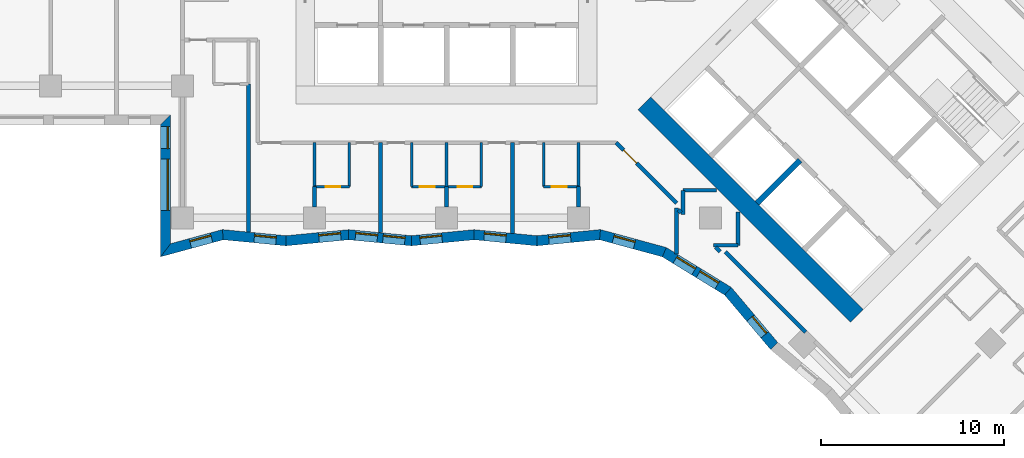
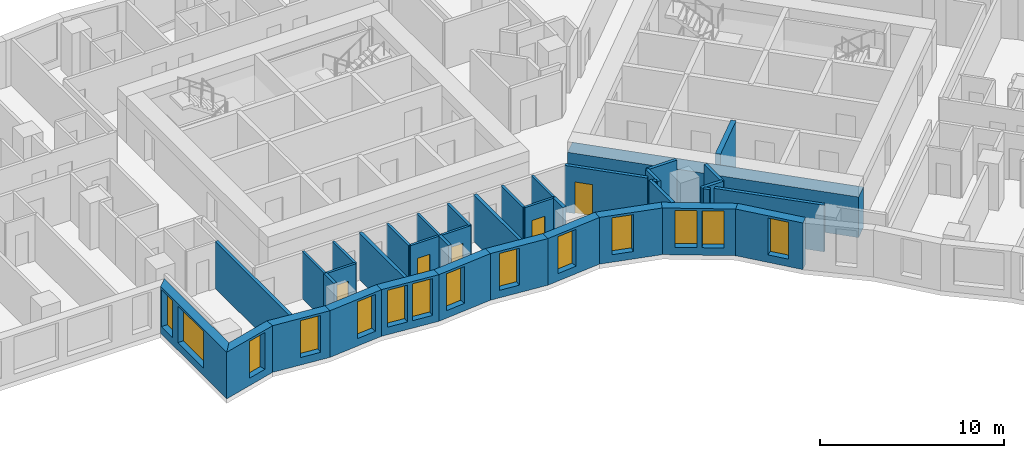
# One storey, part 2 of 13: 38 walls, 14 windows, 5 doors, 19 openings.
"""IFC4 building model written with IfcOpenShell, lengths in metres."""

from ifc_helpers import new_model, si_unit, direction, frame, frame_2d, origin, place, context, subcontext, project, spatial, polyline, rectangle, outline, extrude, material, layer, layer_set, type_object, element, fill, save


model = new_model("IFC4")

# Units and contexts
model_context = context("Model", 3, precision=1e-05, world=origin(), true_north=direction((0.0, 1.0)))
body_context = subcontext(model_context, "Body", "Model", "MODEL_VIEW")
ifc_project = project(units=[si_unit("LENGTHUNIT", "METRE"), si_unit("AREAUNIT", "SQUARE_METRE"), si_unit("VOLUMEUNIT", "CUBIC_METRE"), si_unit("PLANEANGLEUNIT", "RADIAN"), si_unit("MASSUNIT", "GRAM", prefix="KILO")], contexts=[model_context])

# Site, building, storey
site_placement = place(None, origin())
site = spatial("IfcSite", under=ifc_project, at=site_placement, CompositionType="ELEMENT")
building_placement = place(site_placement, origin())
building = spatial("IfcBuilding", under=site, at=building_placement, Name="Windrow Commons", CompositionType="ELEMENT")
storey_placement = place(building_placement, frame((0.0, 0.0, 30.4)))
storey = spatial("IfcBuildingStorey", under=building, at=storey_placement, Name="L07", CompositionType="ELEMENT", Elevation=30.4)

# Wall, openings, windows
ifc_material_1 = material(Name="Brick masonry, red clay brick", Category="masonry")
ifc_layer_1 = layer(ifc_material_1, 0.55)
ifc_layer_set_1 = layer_set([ifc_layer_1], Name="Brick facade wall 550")
wall_type_1 = type_object("IfcWallType", Name="Brick facade wall 550", PredefinedType="SOLIDWALL", material=ifc_layer_set_1)
wall_1_placement = place(storey_placement, frame((49.475, 48.545, 0.0), z_axis=(0.0, 0.0, 1.0), x_axis=(0.0, -1.0, 0.0)))
wall_1 = element("IfcWall", 1, at=wall_1_placement, inside=storey, type_object=wall_type_1, Name="Brick facade wall L07 45", PredefinedType="SOLIDWALL", context=body_context, shape_type="SweptSolid", body=[
    extrude(outline(polyline([(0.275, -0.275), (7.475, -0.275), (6.7555, 0.275), (-0.275, 0.275), (0.275, -0.275)])), origin(), (0.0, 0.0, 1.0), 3.1),
])
opening_1_placement = place(wall_1_placement, frame((2.145, 0.0, 0.5)))
opening_1 = element("IfcOpeningElement", 2, at=opening_1_placement, cuts=wall_1, Name="Opening W1T", PredefinedType="OPENING", context=body_context, shape_type="SweptSolid", body=[
    extrude(rectangle(XDim=2.8, YDim=2.45, at=frame_2d((1.4, 1.225))), frame((0.0, 0.285, 0.0), z_axis=(0.0, -1.0, 0.0), x_axis=(1.0, 0.0, 0.0)), (0.0, 0.0, 1.0), 0.57),
])
opening_2_placement = place(wall_1_placement, frame((0.3725, 0.0, 0.5)))
opening_2 = element("IfcOpeningElement", 3, at=opening_2_placement, cuts=wall_1, Name="Opening W7D", PredefinedType="OPENING", context=body_context, shape_type="SweptSolid", body=[
    extrude(rectangle(XDim=1.2, YDim=2.45, at=frame_2d((0.6, 1.225))), frame((0.0, 0.285, 0.0), z_axis=(0.0, -1.0, 0.0), x_axis=(1.0, 0.0, 0.0)), (0.0, 0.0, 1.0), 0.57),
])
ifc_material_2 = material(Name="Clear float glass in anodised aluminium frame", Category="aluminium")
window_type_1 = type_object("IfcWindowType", Name="Window W1T bedroom 2800x2450", PartitioningType="SINGLE_PANEL", PredefinedType="WINDOW", material=ifc_material_2)
window_1_placement = place(opening_1_placement, origin())
window_1 = element("IfcWindow", 4, at=window_1_placement, inside=storey, type_object=window_type_1, Name="Window L07 45.1", OverallHeight=2.45, OverallWidth=2.8, PartitioningType="SINGLE_PANEL", PredefinedType="WINDOW", context=body_context, shape_type="SweptSolid", body=[
    extrude(rectangle(XDim=2.8, YDim=2.45, at=frame_2d((1.4, 1.225))), frame((0.0, 0.155, 0.0), z_axis=(0.0, -1.0, 0.0), x_axis=(1.0, 0.0, 0.0)), (0.0, 0.0, 1.0), 0.06),
])
fill(opening_1, window_1)
ifc_material_3 = material(Name="Clear float glass in anodised aluminium frame", Category="aluminium")
window_type_2 = type_object("IfcWindowType", Name="Window W7 notch 1200x2450", PartitioningType="SINGLE_PANEL", PredefinedType="WINDOW", material=ifc_material_3)
window_2_placement = place(opening_2_placement, origin())
window_2 = element("IfcWindow", 5, at=window_2_placement, inside=storey, type_object=window_type_2, Name="Window L07 45.2", OverallHeight=2.45, OverallWidth=1.2, PartitioningType="SINGLE_PANEL", PredefinedType="WINDOW", context=body_context, shape_type="SweptSolid", body=[
    extrude(rectangle(XDim=1.2, YDim=2.45, at=frame_2d((0.6, 1.225))), frame((0.0, 0.155, 0.0), z_axis=(0.0, -1.0, 0.0), x_axis=(1.0, 0.0, 0.0)), (0.0, 0.0, 1.0), 0.06),
])
fill(opening_2, window_2)

# Wall, opening, window
wall_2_placement = place(storey_placement, frame((49.475, 41.4297, 0.0), z_axis=(0.0, 0.0, 1.0), x_axis=(0.9649788617, 0.262327651, 0.0)))
wall_2 = element("IfcWall", 6, at=wall_2_placement, inside=storey, type_object=wall_type_1, Name="Brick facade wall L07 46", PredefinedType="SOLIDWALL", context=body_context, shape_type="SweptSolid", body=[
    extrude(outline(polyline([(-0.3597, -0.275), (3.1858, -0.275), (3.2863, 0.275), (0.3597, 0.275), (-0.3597, -0.275)])), origin(), (0.0, 0.0, 1.0), 3.1),
])
opening_3_placement = place(wall_2_placement, frame((1.3973, 0.0, 0.5)))
opening_3 = element("IfcOpeningElement", 7, at=opening_3_placement, cuts=wall_2, Name="Opening W7D", PredefinedType="OPENING", context=body_context, shape_type="SweptSolid", body=[
    extrude(rectangle(XDim=1.2, YDim=2.45, at=frame_2d((0.6, 1.225))), frame((0.0, 0.285, 0.0), z_axis=(0.0, -1.0, 0.0), x_axis=(1.0, 0.0, 0.0)), (0.0, 0.0, 1.0), 0.57),
])
window_3_placement = place(opening_3_placement, origin())
window_3 = element("IfcWindow", 8, at=window_3_placement, inside=storey, type_object=window_type_2, Name="Window L07 46.1", OverallHeight=2.45, OverallWidth=1.2, PartitioningType="SINGLE_PANEL", PredefinedType="WINDOW", context=body_context, shape_type="SweptSolid", body=[
    extrude(rectangle(XDim=1.2, YDim=2.45, at=frame_2d((0.6, 1.225))), frame((0.0, 0.155, 0.0), z_axis=(0.0, -1.0, 0.0), x_axis=(1.0, 0.0, 0.0)), (0.0, 0.0, 1.0), 0.06),
])
fill(opening_3, window_3)

wall_3_placement = place(storey_placement, frame((52.5977, 42.2786, 0.0), z_axis=(0.0, 0.0, 1.0), x_axis=(0.9953800797, -0.0960130045, 0.0)))
wall_3 = element("IfcWall", 9, at=wall_3_placement, inside=storey, type_object=wall_type_1, Name="Brick facade wall L07 47", PredefinedType="SOLIDWALL", context=body_context, shape_type="SweptSolid", body=[
    extrude(outline(polyline([(0.0503, -0.275), (3.4875, -0.275), (3.4344, 0.275), (-0.0503, 0.275), (0.0503, -0.275)])), origin(), (0.0, 0.0, 1.0), 3.1),
])
opening_4_placement = place(wall_3_placement, frame((1.7216, 0.0, 0.5)))
opening_4 = element("IfcOpeningElement", 10, at=opening_4_placement, cuts=wall_3, Name="Opening W7D", PredefinedType="OPENING", context=body_context, shape_type="SweptSolid", body=[
    extrude(rectangle(XDim=1.2, YDim=2.45, at=frame_2d((0.6, 1.225))), frame((0.0, 0.285, 0.0), z_axis=(0.0, -1.0, 0.0), x_axis=(1.0, 0.0, 0.0)), (0.0, 0.0, 1.0), 0.57),
])
window_4_placement = place(opening_4_placement, origin())
window_4 = element("IfcWindow", 11, at=window_4_placement, inside=storey, type_object=window_type_2, Name="Window L07 47.1", OverallHeight=2.45, OverallWidth=1.2, PartitioningType="SINGLE_PANEL", PredefinedType="WINDOW", context=body_context, shape_type="SweptSolid", body=[
    extrude(rectangle(XDim=1.2, YDim=2.45, at=frame_2d((0.6, 1.225))), frame((0.0, 0.155, 0.0), z_axis=(0.0, -1.0, 0.0), x_axis=(1.0, 0.0, 0.0)), (0.0, 0.0, 1.0), 0.06),
])
fill(opening_4, window_4)

wall_4_placement = place(storey_placement, frame((56.0427, 41.9463, 0.0), z_axis=(0.0, 0.0, 1.0), x_axis=(0.995380467, 0.096008989, 0.0)))
wall_4 = element("IfcWall", 12, at=wall_4_placement, inside=storey, type_object=wall_type_1, Name="Brick facade wall L07 48", PredefinedType="SOLIDWALL", context=body_context, shape_type="SweptSolid", body=[
    extrude(outline(polyline([(-0.0265, -0.275), (3.4107, -0.275), (3.4637, 0.275), (0.0265, 0.275), (-0.0265, -0.275)])), origin(), (0.0, 0.0, 1.0), 3.1),
])
opening_5_placement = place(wall_4_placement, frame((1.8009, 0.0, 0.5)))
opening_5 = element("IfcOpeningElement", 13, at=opening_5_placement, cuts=wall_4, Name="Opening W7D", PredefinedType="OPENING", context=body_context, shape_type="SweptSolid", body=[
    extrude(rectangle(XDim=1.2, YDim=2.45, at=frame_2d((0.6, 1.225))), frame((0.0, 0.285, 0.0), z_axis=(0.0, -1.0, 0.0), x_axis=(1.0, 0.0, 0.0)), (0.0, 0.0, 1.0), 0.57),
])
window_5_placement = place(opening_5_placement, origin())
window_5 = element("IfcWindow", 14, at=window_5_placement, inside=storey, type_object=window_type_2, Name="Window L07 48.1", OverallHeight=2.45, OverallWidth=1.2, PartitioningType="SINGLE_PANEL", PredefinedType="WINDOW", context=body_context, shape_type="SweptSolid", body=[
    extrude(rectangle(XDim=1.2, YDim=2.45, at=frame_2d((0.6, 1.225))), frame((0.0, 0.155, 0.0), z_axis=(0.0, -1.0, 0.0), x_axis=(1.0, 0.0, 0.0)), (0.0, 0.0, 1.0), 0.06),
])
fill(opening_5, window_5)

# Wall, openings, windows
wall_5_placement = place(storey_placement, frame((59.464, 42.2763, 0.0), z_axis=(0.0, 0.0, 1.0), x_axis=(0.995380467, -0.096008989, 0.0)))
wall_5 = element("IfcWall", 15, at=wall_5_placement, inside=storey, type_object=wall_type_1, Name="Brick facade wall L07 49", PredefinedType="SOLIDWALL", context=body_context, shape_type="SweptSolid", body=[
    extrude(outline(polyline([(0.0265, -0.275), (3.4637, -0.275), (3.4107, 0.275), (-0.0265, 0.275), (0.0265, -0.275)])), origin(), (0.0, 0.0, 1.0), 3.1),
])
opening_6_placement = place(wall_5_placement, frame((0.372, 0.0, 0.5)))
opening_6 = element("IfcOpeningElement", 16, at=opening_6_placement, cuts=wall_5, Name="Opening W7D", PredefinedType="OPENING", context=body_context, shape_type="SweptSolid", body=[
    extrude(rectangle(XDim=1.2, YDim=2.45, at=frame_2d((0.6, 1.225))), frame((0.0, 0.285, 0.0), z_axis=(0.0, -1.0, 0.0), x_axis=(1.0, 0.0, 0.0)), (0.0, 0.0, 1.0), 0.57),
])
opening_7_placement = place(wall_5_placement, frame((1.8774, 0.0, 0.5)))
opening_7 = element("IfcOpeningElement", 17, at=opening_7_placement, cuts=wall_5, Name="Opening W7D", PredefinedType="OPENING", context=body_context, shape_type="SweptSolid", body=[
    extrude(rectangle(XDim=1.2, YDim=2.45, at=frame_2d((0.6, 1.225))), frame((0.0, 0.285, 0.0), z_axis=(0.0, -1.0, 0.0), x_axis=(1.0, 0.0, 0.0)), (0.0, 0.0, 1.0), 0.57),
])
window_6_placement = place(opening_6_placement, origin())
window_6 = element("IfcWindow", 18, at=window_6_placement, inside=storey, type_object=window_type_2, Name="Window L07 49.1", OverallHeight=2.45, OverallWidth=1.2, PartitioningType="SINGLE_PANEL", PredefinedType="WINDOW", context=body_context, shape_type="SweptSolid", body=[
    extrude(rectangle(XDim=1.2, YDim=2.45, at=frame_2d((0.6, 1.225))), frame((0.0, 0.155, 0.0), z_axis=(0.0, -1.0, 0.0), x_axis=(1.0, 0.0, 0.0)), (0.0, 0.0, 1.0), 0.06),
])
fill(opening_6, window_6)
window_7_placement = place(opening_7_placement, origin())
window_7 = element("IfcWindow", 19, at=window_7_placement, inside=storey, type_object=window_type_2, Name="Window L07 49.2", OverallHeight=2.45, OverallWidth=1.2, PartitioningType="SINGLE_PANEL", PredefinedType="WINDOW", context=body_context, shape_type="SweptSolid", body=[
    extrude(rectangle(XDim=1.2, YDim=2.45, at=frame_2d((0.6, 1.225))), frame((0.0, 0.155, 0.0), z_axis=(0.0, -1.0, 0.0), x_axis=(1.0, 0.0, 0.0)), (0.0, 0.0, 1.0), 0.06),
])
fill(opening_7, window_7)

# Wall, opening, window
wall_6_placement = place(storey_placement, frame((62.8853, 41.9463, 0.0), z_axis=(0.0, 0.0, 1.0), x_axis=(0.9953807351, 0.0960062087, 0.0)))
wall_6 = element("IfcWall", 20, at=wall_6_placement, inside=storey, type_object=wall_type_1, Name="Brick facade wall L07 50", PredefinedType="SOLIDWALL", context=body_context, shape_type="SweptSolid", body=[
    extrude(outline(polyline([(-0.0265, -0.275), (3.4107, -0.275), (3.4637, 0.275), (0.0265, 0.275), (-0.0265, -0.275)])), origin(), (0.0, 0.0, 1.0), 3.1),
])
opening_8_placement = place(wall_6_placement, frame((0.475, 0.0, 0.5)))
opening_8 = element("IfcOpeningElement", 21, at=opening_8_placement, cuts=wall_6, Name="Opening W7D", PredefinedType="OPENING", context=body_context, shape_type="SweptSolid", body=[
    extrude(rectangle(XDim=1.2, YDim=2.45, at=frame_2d((0.6, 1.225))), frame((0.0, 0.285, 0.0), z_axis=(0.0, -1.0, 0.0), x_axis=(1.0, 0.0, 0.0)), (0.0, 0.0, 1.0), 0.57),
])
window_8_placement = place(opening_8_placement, origin())
window_8 = element("IfcWindow", 22, at=window_8_placement, inside=storey, type_object=window_type_2, Name="Window L07 50.1", OverallHeight=2.45, OverallWidth=1.2, PartitioningType="SINGLE_PANEL", PredefinedType="WINDOW", context=body_context, shape_type="SweptSolid", body=[
    extrude(rectangle(XDim=1.2, YDim=2.45, at=frame_2d((0.6, 1.225))), frame((0.0, 0.155, 0.0), z_axis=(0.0, -1.0, 0.0), x_axis=(1.0, 0.0, 0.0)), (0.0, 0.0, 1.0), 0.06),
])
fill(opening_8, window_8)

wall_7_placement = place(storey_placement, frame((66.3067, 42.2763, 0.0), z_axis=(0.0, 0.0, 1.0), x_axis=(0.995380467, -0.096008989, 0.0)))
wall_7 = element("IfcWall", 23, at=wall_7_placement, inside=storey, type_object=wall_type_1, Name="Brick facade wall L07 51", PredefinedType="SOLIDWALL", context=body_context, shape_type="SweptSolid", body=[
    extrude(outline(polyline([(0.0265, -0.275), (3.4637, -0.275), (3.4107, 0.275), (-0.0265, 0.275), (0.0265, -0.275)])), origin(), (0.0, 0.0, 1.0), 3.1),
])
opening_9_placement = place(wall_7_placement, frame((0.5515, 0.0, 0.5)))
opening_9 = element("IfcOpeningElement", 24, at=opening_9_placement, cuts=wall_7, Name="Opening W7D", PredefinedType="OPENING", context=body_context, shape_type="SweptSolid", body=[
    extrude(rectangle(XDim=1.2, YDim=2.45, at=frame_2d((0.6, 1.225))), frame((0.0, 0.285, 0.0), z_axis=(0.0, -1.0, 0.0), x_axis=(1.0, 0.0, 0.0)), (0.0, 0.0, 1.0), 0.57),
])
window_9_placement = place(opening_9_placement, origin())
window_9 = element("IfcWindow", 25, at=window_9_placement, inside=storey, type_object=window_type_2, Name="Window L07 51.1", OverallHeight=2.45, OverallWidth=1.2, PartitioningType="SINGLE_PANEL", PredefinedType="WINDOW", context=body_context, shape_type="SweptSolid", body=[
    extrude(rectangle(XDim=1.2, YDim=2.45, at=frame_2d((0.6, 1.225))), frame((0.0, 0.155, 0.0), z_axis=(0.0, -1.0, 0.0), x_axis=(1.0, 0.0, 0.0)), (0.0, 0.0, 1.0), 0.06),
])
fill(opening_9, window_9)

wall_8_placement = place(storey_placement, frame((69.728, 41.9463, 0.0), z_axis=(0.0, 0.0, 1.0), x_axis=(0.9953800797, 0.0960130045, 0.0)))
wall_8 = element("IfcWall", 26, at=wall_8_placement, inside=storey, type_object=wall_type_1, Name="Brick facade wall L07 52", PredefinedType="SOLIDWALL", context=body_context, shape_type="SweptSolid", body=[
    extrude(outline(polyline([(-0.0265, -0.275), (3.4107, -0.275), (3.5112, 0.275), (0.0265, 0.275), (-0.0265, -0.275)])), origin(), (0.0, 0.0, 1.0), 3.1),
])
opening_10_placement = place(wall_8_placement, frame((0.6545, 0.0, 0.5)))
opening_10 = element("IfcOpeningElement", 27, at=opening_10_placement, cuts=wall_8, Name="Opening W7D", PredefinedType="OPENING", context=body_context, shape_type="SweptSolid", body=[
    extrude(rectangle(XDim=1.2, YDim=2.45, at=frame_2d((0.6, 1.225))), frame((0.0, 0.285, 0.0), z_axis=(0.0, -1.0, 0.0), x_axis=(1.0, 0.0, 0.0)), (0.0, 0.0, 1.0), 0.57),
])
window_10_placement = place(opening_10_placement, origin())
window_10 = element("IfcWindow", 28, at=window_10_placement, inside=storey, type_object=window_type_2, Name="Window L07 52.1", OverallHeight=2.45, OverallWidth=1.2, PartitioningType="SINGLE_PANEL", PredefinedType="WINDOW", context=body_context, shape_type="SweptSolid", body=[
    extrude(rectangle(XDim=1.2, YDim=2.45, at=frame_2d((0.6, 1.225))), frame((0.0, 0.155, 0.0), z_axis=(0.0, -1.0, 0.0), x_axis=(1.0, 0.0, 0.0)), (0.0, 0.0, 1.0), 0.06),
])
fill(opening_10, window_10)

wall_9_placement = place(storey_placement, frame((73.173, 42.2786, 0.0), z_axis=(0.0, 0.0, 1.0), x_axis=(0.9649780745, -0.2623305467, 0.0)))
wall_9 = element("IfcWall", 29, at=wall_9_placement, inside=storey, type_object=wall_type_1, Name="Brick facade wall L07 53", PredefinedType="SOLIDWALL", context=body_context, shape_type="SweptSolid", body=[
    extrude(outline(polyline([(0.0503, -0.275), (3.5957, -0.275), (3.6746, 0.275), (-0.0503, 0.275), (0.0503, -0.275)])), origin(), (0.0, 0.0, 1.0), 3.1),
])
opening_11_placement = place(wall_9_placement, frame((0.7575, 0.0, 0.5)))
opening_11 = element("IfcOpeningElement", 30, at=opening_11_placement, cuts=wall_9, Name="Opening W7D", PredefinedType="OPENING", context=body_context, shape_type="SweptSolid", body=[
    extrude(rectangle(XDim=1.2, YDim=2.45, at=frame_2d((0.6, 1.225))), frame((0.0, 0.285, 0.0), z_axis=(0.0, -1.0, 0.0), x_axis=(1.0, 0.0, 0.0)), (0.0, 0.0, 1.0), 0.57),
])
window_11_placement = place(opening_11_placement, origin())
window_11 = element("IfcWindow", 31, at=window_11_placement, inside=storey, type_object=window_type_2, Name="Window L07 53.1", OverallHeight=2.45, OverallWidth=1.2, PartitioningType="SINGLE_PANEL", PredefinedType="WINDOW", context=body_context, shape_type="SweptSolid", body=[
    extrude(rectangle(XDim=1.2, YDim=2.45, at=frame_2d((0.6, 1.225))), frame((0.0, 0.155, 0.0), z_axis=(0.0, -1.0, 0.0), x_axis=(1.0, 0.0, 0.0)), (0.0, 0.0, 1.0), 0.06),
])
fill(opening_11, window_11)

# Wall, openings, windows
wall_10_placement = place(storey_placement, frame((76.6808, 41.325, 0.0), z_axis=(0.0, 0.0, 1.0), x_axis=(0.852496072, -0.5227336293, 0.0)))
wall_10 = element("IfcWall", 32, at=wall_10_placement, inside=storey, type_object=wall_type_1, Name="Brick facade wall L07 54", PredefinedType="SOLIDWALL", context=body_context, shape_type="SweptSolid", body=[
    extrude(outline(polyline([(0.0394, -0.275), (4.0282, -0.275), (4.117, 0.275), (-0.0394, 0.275), (0.0394, -0.275)])), origin(), (0.0, 0.0, 1.0), 3.1),
])
opening_12_placement = place(wall_10_placement, frame((0.7194, 0.0, 0.5)))
opening_12 = element("IfcOpeningElement", 33, at=opening_12_placement, cuts=wall_10, Name="Opening W7D", PredefinedType="OPENING", context=body_context, shape_type="SweptSolid", body=[
    extrude(rectangle(XDim=1.2, YDim=2.45, at=frame_2d((0.6, 1.225))), frame((0.0, 0.285, 0.0), z_axis=(0.0, -1.0, 0.0), x_axis=(1.0, 0.0, 0.0)), (0.0, 0.0, 1.0), 0.57),
])
opening_13_placement = place(wall_10_placement, frame((2.2057, 0.0, 0.5)))
opening_13 = element("IfcOpeningElement", 34, at=opening_13_placement, cuts=wall_10, Name="Opening W7D", PredefinedType="OPENING", context=body_context, shape_type="SweptSolid", body=[
    extrude(rectangle(XDim=1.2, YDim=2.45, at=frame_2d((0.6, 1.225))), frame((0.0, 0.285, 0.0), z_axis=(0.0, -1.0, 0.0), x_axis=(1.0, 0.0, 0.0)), (0.0, 0.0, 1.0), 0.57),
])
window_12_placement = place(opening_12_placement, origin())
window_12 = element("IfcWindow", 35, at=window_12_placement, inside=storey, type_object=window_type_2, Name="Window L07 54.1", OverallHeight=2.45, OverallWidth=1.2, PartitioningType="SINGLE_PANEL", PredefinedType="WINDOW", context=body_context, shape_type="SweptSolid", body=[
    extrude(rectangle(XDim=1.2, YDim=2.45, at=frame_2d((0.6, 1.225))), frame((0.0, 0.155, 0.0), z_axis=(0.0, -1.0, 0.0), x_axis=(1.0, 0.0, 0.0)), (0.0, 0.0, 1.0), 0.06),
])
fill(opening_12, window_12)
window_13_placement = place(opening_13_placement, origin())
window_13 = element("IfcWindow", 36, at=window_13_placement, inside=storey, type_object=window_type_2, Name="Window L07 54.2", OverallHeight=2.45, OverallWidth=1.2, PartitioningType="SINGLE_PANEL", PredefinedType="WINDOW", context=body_context, shape_type="SweptSolid", body=[
    extrude(rectangle(XDim=1.2, YDim=2.45, at=frame_2d((0.6, 1.225))), frame((0.0, 0.155, 0.0), z_axis=(0.0, -1.0, 0.0), x_axis=(1.0, 0.0, 0.0)), (0.0, 0.0, 1.0), 0.06),
])
fill(opening_13, window_13)

# Wall, opening, window
wall_11_placement = place(storey_placement, frame((80.1527, 39.1961, 0.0), z_axis=(0.0, 0.0, 1.0), x_axis=(0.6446069156, -0.7645141753, 0.0)))
wall_11 = element("IfcWall", 37, at=wall_11_placement, inside=storey, type_object=wall_type_1, Name="Brick facade wall L07 55", PredefinedType="SOLIDWALL", context=body_context, shape_type="SweptSolid", body=[
    extrude(outline(polyline([(0.0444, -0.275), (3.9373, -0.275), (3.8905, 0.275), (-0.0444, 0.275), (0.0444, -0.275)])), origin(), (0.0, 0.0, 1.0), 3.1),
])
opening_14_placement = place(wall_11_placement, frame((1.9129, 0.0, 0.5)))
opening_14 = element("IfcOpeningElement", 38, at=opening_14_placement, cuts=wall_11, Name="Opening W7D", PredefinedType="OPENING", context=body_context, shape_type="SweptSolid", body=[
    extrude(rectangle(XDim=1.2, YDim=2.45, at=frame_2d((0.6, 1.225))), frame((0.0, 0.285, 0.0), z_axis=(0.0, -1.0, 0.0), x_axis=(1.0, 0.0, 0.0)), (0.0, 0.0, 1.0), 0.57),
])
window_14_placement = place(opening_14_placement, origin())
window_14 = element("IfcWindow", 39, at=window_14_placement, inside=storey, type_object=window_type_2, Name="Window L07 55.1", OverallHeight=2.45, OverallWidth=1.2, PartitioningType="SINGLE_PANEL", PredefinedType="WINDOW", context=body_context, shape_type="SweptSolid", body=[
    extrude(rectangle(XDim=1.2, YDim=2.45, at=frame_2d((0.6, 1.225))), frame((0.0, 0.155, 0.0), z_axis=(0.0, -1.0, 0.0), x_axis=(1.0, 0.0, 0.0)), (0.0, 0.0, 1.0), 0.06),
])
fill(opening_14, window_14)

# Wall
ifc_material_4 = material(Name="Blockwork partition", Category="masonry")
ifc_layer_2 = layer(ifc_material_4, 0.2)
ifc_layer_set_2 = layer_set([ifc_layer_2], Name="IW-CORRIDOR-200")
wall_type_2 = type_object("IfcWallType", Name="IW-CORRIDOR-200", PredefinedType="PARTITIONING", material=ifc_layer_set_2)
wall_12_placement = place(storey_placement, frame((80.0068, 41.3468, 0.0), z_axis=(0.0, 0.0, 1.0), x_axis=(0.7071067812, -0.7071067812, 0.0)))
element("IfcWall", 40, at=wall_12_placement, inside=storey, type_object=wall_type_2, Name="W-L07-W027", PredefinedType="PARTITIONING", context=body_context, shape_type="SweptSolid", body=[
    extrude(rectangle(XDim=6.2056, YDim=0.2, at=frame_2d((3.1028, 0.0))), origin(), (0.0, 0.0, 1.0), 3.1),
])

# Wall, opening, door
wall_13_placement = place(storey_placement, frame((74.0568, 47.2968, 0.0), z_axis=(0.0, 0.0, 1.0), x_axis=(0.7071067812, -0.7071067812, 0.0)))
wall_13 = element("IfcWall", 41, at=wall_13_placement, inside=storey, type_object=wall_type_2, Name="W-L07-W055", PredefinedType="PARTITIONING", context=body_context, shape_type="SweptSolid", body=[
    extrude(rectangle(XDim=4.6528, YDim=0.2, at=frame_2d((2.3264, 0.0))), origin(), (0.0, 0.0, 1.0), 3.1),
])
opening_15_placement = place(wall_13_placement, frame((0.5704, 0.0, 0.0)))
opening_15 = element("IfcOpeningElement", 42, at=opening_15_placement, cuts=wall_13, Name="Opening D310F", PredefinedType="OPENING", context=body_context, shape_type="SweptSolid", body=[
    extrude(rectangle(XDim=1.0, YDim=2.1, at=frame_2d((0.5, 1.05))), frame((0.0, 0.11, 0.0), z_axis=(0.0, -1.0, 0.0), x_axis=(1.0, 0.0, 0.0)), (0.0, 0.0, 1.0), 0.22),
])
ifc_material_5 = material(Name="Timber door leaf", Category="wood")
door_type_1 = type_object("IfcDoorType", Name="DT-AMENITY-1000", OperationType="SINGLE_SWING_LEFT", PredefinedType="DOOR", material=ifc_material_5)
door_1_placement = place(opening_15_placement, origin())
door_1 = element("IfcDoor", 43, at=door_1_placement, inside=storey, type_object=door_type_1, Name="D-L07-D047", OperationType="SINGLE_SWING_LEFT", OverallHeight=2.1, OverallWidth=1.0, PredefinedType="DOOR", context=body_context, shape_type="SweptSolid", body=[
    extrude(rectangle(XDim=1.0, YDim=2.1, at=frame_2d((0.5, 1.05))), frame((0.0, 0.025, 0.0), z_axis=(0.0, -1.0, 0.0), x_axis=(1.0, 0.0, 0.0)), (0.0, 0.0, 1.0), 0.05),
])
fill(opening_15, door_1)

# Walls
for number, where, z_axis, x_axis, name in (
    (44, (77.702, 44.7, 0.0), (0.0, 0.0, 1.0), (1.0, 0.0, 0.0), "W-L07-W157"),
    (45, (80.7, 41.702, 0.0), (0.0, 0.0, 1.0), (0.0, 1.0, 0.0), "W-L07-W158"),
):
    element("IfcWall", number, at=place(storey_placement, frame(where, z_axis=z_axis, x_axis=x_axis)), inside=storey, type_object=wall_type_2, Name=name, PredefinedType="PARTITIONING", context=body_context, shape_type="SweptSolid", body=[
        extrude(rectangle(XDim=1.814, YDim=0.2, at=frame_2d((0.907, 0.0))), origin(), (0.0, 0.0, 1.0), 3.1),
    ])
for number, where, z_axis, x_axis, name in (
    (46, (77.7, 43.378, 0.0), (0.0, 0.0, 1.0), (0.0, 1.0, 0.0), "W-L07-W174"),
    (47, (79.378, 41.7, 0.0), (0.0, 0.0, 1.0), (1.0, 0.0, 0.0), "W-L07-W175"),
):
    element("IfcWall", number, at=place(storey_placement, frame(where, z_axis=z_axis, x_axis=x_axis)), inside=storey, type_object=wall_type_2, Name=name, PredefinedType="PARTITIONING", context=body_context, shape_type="SweptSolid", body=[
        extrude(rectangle(XDim=1.322, YDim=0.2, at=frame_2d((0.661, 0.0))), origin(), (0.0, 0.0, 1.0), 3.1),
    ])
wall_14_placement = place(storey_placement, frame((77.4454, 43.6396, 0.0), z_axis=(0.0, 0.0, 1.0), x_axis=(0.7071067812, -0.7071067812, 0.0)))
element("IfcWall", 48, at=wall_14_placement, inside=storey, type_object=wall_type_2, Name="W-L07-W209", PredefinedType="PARTITIONING", context=body_context, shape_type="SweptSolid", body=[
    extrude(rectangle(XDim=0.225, YDim=0.2, at=frame_2d((0.1125, 0.0))), origin(), (0.0, 0.0, 1.0), 3.1),
])
wall_15_placement = place(storey_placement, frame((79.4805, 41.6045, 0.0), z_axis=(0.0, 0.0, 1.0), x_axis=(0.7071067812, -0.7071067812, 0.0)))
element("IfcWall", 49, at=wall_15_placement, inside=storey, type_object=wall_type_2, Name="W-L07-W210", PredefinedType="PARTITIONING", context=body_context, shape_type="SweptSolid", body=[
    extrude(rectangle(XDim=0.355, YDim=0.2, at=frame_2d((0.1775, 0.0))), origin(), (0.0, 0.0, 1.0), 3.1),
])

# Wall, openings, doors
ifc_material_6 = material(Name="Blockwork partition", Category="masonry")
ifc_layer_3 = layer(ifc_material_6, 0.15)
ifc_layer_set_3 = layer_set([ifc_layer_3], Name="IW-ENSUITE-150")
wall_type_3 = type_object("IfcWallType", Name="IW-ENSUITE-150", PredefinedType="PARTITIONING", material=ifc_layer_set_3)
wall_16_placement = place(storey_placement, frame((62.9, 44.9, 0.0), z_axis=(0.0, 0.0, 1.0), x_axis=(1.0, 0.0, 0.0)))
wall_16 = element("IfcWall", 50, at=wall_16_placement, inside=storey, type_object=wall_type_3, Name="W-L07-W061", PredefinedType="PARTITIONING", context=body_context, shape_type="SweptSolid", body=[
    extrude(rectangle(XDim=3.8, YDim=0.15, at=frame_2d((1.9, 0.0))), origin(), (0.0, 0.0, 1.0), 3.1),
])
opening_16_placement = place(wall_16_placement, frame((0.4476, 0.0, 0.0)))
opening_16 = element("IfcOpeningElement", 51, at=opening_16_placement, cuts=wall_16, Name="Opening D208N", PredefinedType="OPENING", context=body_context, shape_type="SweptSolid", body=[
    extrude(rectangle(XDim=0.8, YDim=2.1, at=frame_2d((0.4, 1.05))), frame((0.0, 0.085, 0.0), z_axis=(0.0, -1.0, 0.0), x_axis=(1.0, 0.0, 0.0)), (0.0, 0.0, 1.0), 0.17),
])
opening_17_placement = place(wall_16_placement, frame((2.5069, 0.0, 0.0)))
opening_17 = element("IfcOpeningElement", 52, at=opening_17_placement, cuts=wall_16, Name="Opening D208N", PredefinedType="OPENING", context=body_context, shape_type="SweptSolid", body=[
    extrude(rectangle(XDim=0.8, YDim=2.1, at=frame_2d((0.4, 1.05))), frame((0.0, 0.085, 0.0), z_axis=(0.0, -1.0, 0.0), x_axis=(1.0, 0.0, 0.0)), (0.0, 0.0, 1.0), 0.17),
])
ifc_material_7 = material(Name="Timber door leaf", Category="wood")
door_type_2 = type_object("IfcDoorType", Name="DT-ENSUITE-800", OperationType="SINGLE_SWING_LEFT", PredefinedType="DOOR", material=ifc_material_7)
door_2_placement = place(opening_16_placement, origin())
door_2 = element("IfcDoor", 53, at=door_2_placement, inside=storey, type_object=door_type_2, Name="D-L07-D042", OperationType="SINGLE_SWING_RIGHT", OverallHeight=2.1, OverallWidth=0.8, PredefinedType="DOOR", context=body_context, shape_type="SweptSolid", body=[
    extrude(rectangle(XDim=0.8, YDim=2.1, at=frame_2d((0.4, 1.05))), frame((0.0, 0.025, 0.0), z_axis=(0.0, -1.0, 0.0), x_axis=(1.0, 0.0, 0.0)), (0.0, 0.0, 1.0), 0.05),
])
fill(opening_16, door_2)
door_3_placement = place(opening_17_placement, origin())
door_3 = element("IfcDoor", 54, at=door_3_placement, inside=storey, type_object=door_type_2, Name="D-L07-D044", OperationType="SINGLE_SWING_RIGHT", OverallHeight=2.1, OverallWidth=0.8, PredefinedType="DOOR", context=body_context, shape_type="SweptSolid", body=[
    extrude(rectangle(XDim=0.8, YDim=2.1, at=frame_2d((0.4, 1.05))), frame((0.0, 0.025, 0.0), z_axis=(0.0, -1.0, 0.0), x_axis=(1.0, 0.0, 0.0)), (0.0, 0.0, 1.0), 0.05),
])
fill(opening_17, door_3)

# Walls
for number, where, z_axis, x_axis, name in (
    (55, (59.5, 44.9, 0.0), (0.0, 0.0, 1.0), (0.0, 1.0, 0.0), "W-L07-W101"),
    (56, (57.6, 44.9, 0.0), (0.0, 0.0, 1.0), (0.0, 1.0, 0.0), "W-L07-W102"),
    (57, (62.9, 44.9, 0.0), (0.0, 0.0, 1.0), (0.0, 1.0, 0.0), "W-L07-W103"),
    (58, (66.7, 44.9, 0.0), (0.0, 0.0, 1.0), (0.0, 1.0, 0.0), "W-L07-W104"),
    (59, (64.8, 44.9, 0.0), (0.0, 0.0, 1.0), (0.0, 1.0, 0.0), "W-L07-W105"),
    (60, (70.1, 44.9, 0.0), (0.0, 0.0, 1.0), (0.0, 1.0, 0.0), "W-L07-W106"),
    (61, (72.0, 44.9, 0.0), (0.0, 0.0, 1.0), (0.0, 1.0, 0.0), "W-L07-W107"),
):
    element("IfcWall", number, at=place(storey_placement, frame(where, z_axis=z_axis, x_axis=x_axis)), inside=storey, type_object=wall_type_3, Name=name, PredefinedType="PARTITIONING", context=body_context, shape_type="SweptSolid", body=[
        extrude(rectangle(XDim=2.4, YDim=0.15, at=frame_2d((1.2, 0.0))), origin(), (0.0, 0.0, 1.0), 3.1),
    ])

# Wall, opening, door
wall_17_placement = place(storey_placement, frame((70.1, 44.9, 0.0), z_axis=(0.0, 0.0, 1.0), x_axis=(1.0, 0.0, 0.0)))
wall_17 = element("IfcWall", 62, at=wall_17_placement, inside=storey, type_object=wall_type_3, Name="W-L07-W143", PredefinedType="PARTITIONING", context=body_context, shape_type="SweptSolid", body=[
    extrude(rectangle(XDim=1.9, YDim=0.15, at=frame_2d((0.95, 0.0))), origin(), (0.0, 0.0, 1.0), 3.1),
])
opening_18_placement = place(wall_17_placement, frame((0.4476, 0.0, 0.0)))
opening_18 = element("IfcOpeningElement", 63, at=opening_18_placement, cuts=wall_17, Name="Opening D208N", PredefinedType="OPENING", context=body_context, shape_type="SweptSolid", body=[
    extrude(rectangle(XDim=0.8, YDim=2.1, at=frame_2d((0.4, 1.05))), frame((0.0, 0.085, 0.0), z_axis=(0.0, -1.0, 0.0), x_axis=(1.0, 0.0, 0.0)), (0.0, 0.0, 1.0), 0.17),
])
door_4_placement = place(opening_18_placement, origin())
door_4 = element("IfcDoor", 64, at=door_4_placement, inside=storey, type_object=door_type_2, Name="D-L07-D046", OperationType="SINGLE_SWING_RIGHT", OverallHeight=2.1, OverallWidth=0.8, PredefinedType="DOOR", context=body_context, shape_type="SweptSolid", body=[
    extrude(rectangle(XDim=0.8, YDim=2.1, at=frame_2d((0.4, 1.05))), frame((0.0, 0.025, 0.0), z_axis=(0.0, -1.0, 0.0), x_axis=(1.0, 0.0, 0.0)), (0.0, 0.0, 1.0), 0.05),
])
fill(opening_18, door_4)

wall_18_placement = place(storey_placement, frame((57.6, 44.9, 0.0), z_axis=(0.0, 0.0, 1.0), x_axis=(1.0, 0.0, 0.0)))
wall_18 = element("IfcWall", 65, at=wall_18_placement, inside=storey, type_object=wall_type_3, Name="W-L07-W153", PredefinedType="PARTITIONING", context=body_context, shape_type="SweptSolid", body=[
    extrude(rectangle(XDim=1.9, YDim=0.15, at=frame_2d((0.95, 0.0))), origin(), (0.0, 0.0, 1.0), 3.1),
])
opening_19_placement = place(wall_18_placement, frame((0.6069, 0.0, 0.0)))
opening_19 = element("IfcOpeningElement", 66, at=opening_19_placement, cuts=wall_18, Name="Opening D208N", PredefinedType="OPENING", context=body_context, shape_type="SweptSolid", body=[
    extrude(rectangle(XDim=0.8, YDim=2.1, at=frame_2d((0.4, 1.05))), frame((0.0, 0.085, 0.0), z_axis=(0.0, -1.0, 0.0), x_axis=(1.0, 0.0, 0.0)), (0.0, 0.0, 1.0), 0.17),
])
door_5_placement = place(opening_19_placement, origin())
door_5 = element("IfcDoor", 67, at=door_5_placement, inside=storey, type_object=door_type_2, Name="D-L07-D040", OperationType="SINGLE_SWING_RIGHT", OverallHeight=2.1, OverallWidth=0.8, PredefinedType="DOOR", context=body_context, shape_type="SweptSolid", body=[
    extrude(rectangle(XDim=0.8, YDim=2.1, at=frame_2d((0.4, 1.05))), frame((0.0, 0.025, 0.0), z_axis=(0.0, -1.0, 0.0), x_axis=(1.0, 0.0, 0.0)), (0.0, 0.0, 1.0), 0.05),
])
fill(opening_19, door_5)

# Walls
ifc_material_8 = material(Name="Blockwork partition", Category="masonry")
ifc_layer_4 = layer(ifc_material_8, 0.2)
ifc_layer_set_4 = layer_set([ifc_layer_4], Name="IW-PARTY-200")
wall_type_4 = type_object("IfcWallType", Name="IW-PARTY-200", PredefinedType="PARTITIONING", material=ifc_layer_set_4)
wall_19_placement = place(storey_placement, frame((54.0, 42.4196, 0.0), z_axis=(0.0, 0.0, 1.0), x_axis=(0.0, 1.0, 0.0)))
element("IfcWall", 68, at=wall_19_placement, inside=storey, type_object=wall_type_4, Name="W-L07-W015", PredefinedType="PARTITIONING", context=body_context, shape_type="SweptSolid", body=[
    extrude(rectangle(XDim=8.0804, YDim=0.2, at=frame_2d((4.0402, 0.0))), origin(), (0.0, 0.0, 1.0), 3.1),
])
wall_20_placement = place(storey_placement, frame((68.4, 42.3506, 0.0), z_axis=(0.0, 0.0, 1.0), x_axis=(0.0, 1.0, 0.0)))
element("IfcWall", 69, at=wall_20_placement, inside=storey, type_object=wall_type_4, Name="W-L07-W049", PredefinedType="PARTITIONING", context=body_context, shape_type="SweptSolid", body=[
    extrude(rectangle(XDim=4.9494, YDim=0.2, at=frame_2d((2.4747, 0.0))), origin(), (0.0, 0.0, 1.0), 3.1),
])
wall_21_placement = place(storey_placement, frame((61.2, 42.3851, 0.0), z_axis=(0.0, 0.0, 1.0), x_axis=(0.0, 1.0, 0.0)))
element("IfcWall", 70, at=wall_21_placement, inside=storey, type_object=wall_type_4, Name="W-L07-W050", PredefinedType="PARTITIONING", context=body_context, shape_type="SweptSolid", body=[
    extrude(rectangle(XDim=4.9149, YDim=0.2, at=frame_2d((2.4575, 0.0))), origin(), (0.0, 0.0, 1.0), 3.1),
])
wall_22_placement = place(storey_placement, frame((77.35, 41.2373, 0.0), z_axis=(0.0, 0.0, 1.0), x_axis=(0.0, 1.0, 0.0)))
element("IfcWall", 71, at=wall_22_placement, inside=storey, type_object=wall_type_4, Name="W-L07-W077", PredefinedType="PARTITIONING", context=body_context, shape_type="SweptSolid", body=[
    extrude(rectangle(XDim=2.4907, YDim=0.2, at=frame_2d((1.2453, 0.0))), origin(), (0.0, 0.0, 1.0), 3.1),
])
for number, where, z_axis, x_axis, name in (
    (72, (57.6, 43.8, 0.0), (0.0, 0.0, 1.0), (0.0, 1.0, 0.0), "W-L07-W184"),
    (73, (64.8, 43.8, 0.0), (0.0, 0.0, 1.0), (0.0, 1.0, 0.0), "W-L07-W185"),
    (74, (72.0, 43.8, 0.0), (0.0, 0.0, 1.0), (0.0, 1.0, 0.0), "W-L07-W186"),
):
    element("IfcWall", number, at=place(storey_placement, frame(where, z_axis=z_axis, x_axis=x_axis)), inside=storey, type_object=wall_type_4, Name=name, PredefinedType="PARTITIONING", context=body_context, shape_type="SweptSolid", body=[
        extrude(rectangle(XDim=1.1, YDim=0.2, at=frame_2d((0.55, 0.0))), origin(), (0.0, 0.0, 1.0), 3.1),
    ])
ifc_material_9 = material(Name="Concrete C60/75", Category="concrete")
ifc_layer_5 = layer(ifc_material_9, 1.0)
ifc_layer_set_5 = layer_set([ifc_layer_5], Name="RC CORE WALL 1000 C60/75")
wall_type_5 = type_object("IfcWallType", Name="RC CORE WALL 1000 C60/75", PredefinedType="SHEAR", material=ifc_layer_set_5)
wall_23_placement = place(storey_placement, frame((75.5938, 49.4433, -0.3), z_axis=(0.0, 0.0, 1.0), x_axis=(0.7071037324, -0.70710983, 0.0)))
element("IfcWall", 75, at=wall_23_placement, inside=storey, type_object=wall_type_5, Name="Core B wall outer-S", PredefinedType="SHEAR", context=body_context, shape_type="SweptSolid", body=[
    extrude(rectangle(XDim=16.4, YDim=1.0, at=frame_2d((8.2, 0.0))), origin(), (0.0, 0.0, 1.0), 2.7),
])
ifc_material_10 = material(Name="Concrete C60/75", Category="concrete")
ifc_layer_6 = layer(ifc_material_10, 0.3)
ifc_layer_set_6 = layer_set([ifc_layer_6], Name="RC SHAFT WALL 300 C60/75")
wall_type_6 = type_object("IfcWallType", Name="RC SHAFT WALL 300 C60/75", PredefinedType="SOLIDWALL", material=ifc_layer_set_6)
wall_24_placement = place(storey_placement, frame((81.7456, 43.9986, 0.0), z_axis=(0.0, 0.0, 1.0), x_axis=(0.7071067812, 0.7071067812, 0.0)))
element("IfcWall", 76, at=wall_24_placement, inside=storey, type_object=wall_type_6, Name="Core B wall shaft-S2", PredefinedType="SOLIDWALL", context=body_context, shape_type="SweptSolid", body=[
    extrude(rectangle(XDim=3.2999, YDim=0.3, at=frame_2d((1.65, 0.0))), origin(), (0.0, 0.0, 1.0), 3.1),
])

save(model, "model.ifc")
